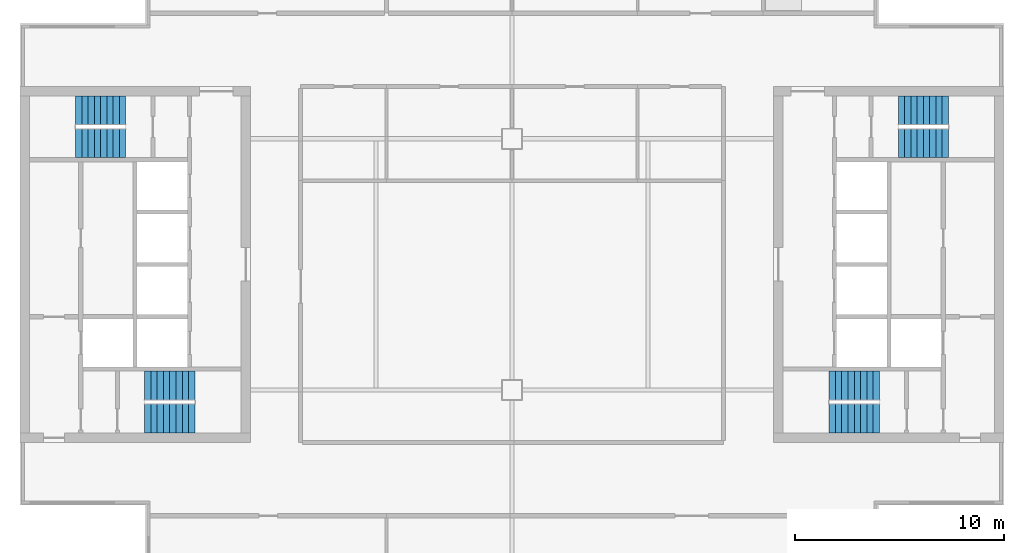
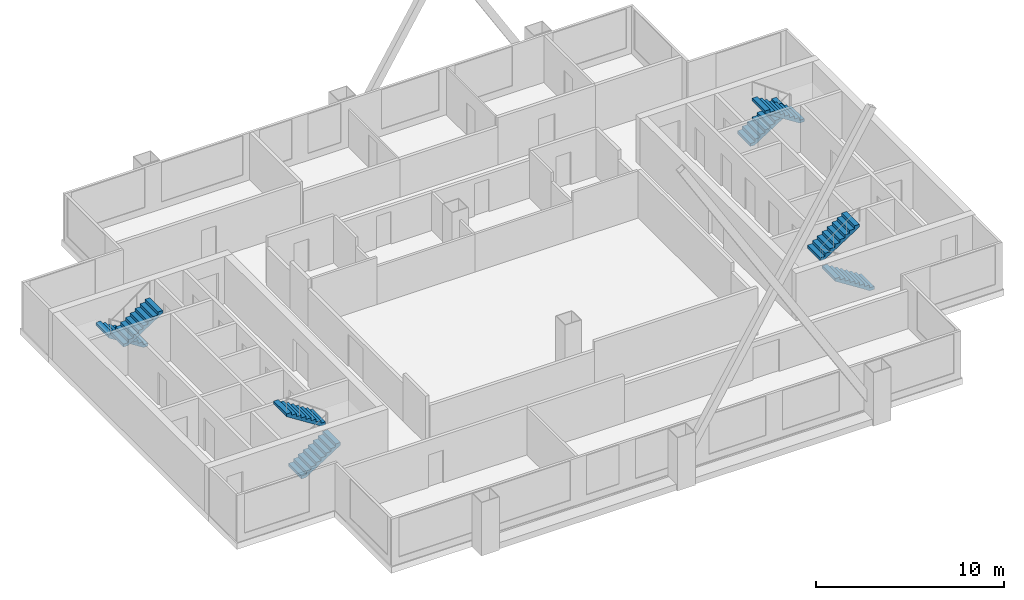
# One storey, part 5 of 7: 8 stair flights, 4 elements without a shape of their own.
"""IFC4 building model written with IfcOpenShell, lengths in metres."""

from ifc_helpers import new_model, si_unit, direction, frame, origin, place, context, subcontext, project, spatial, polyline, outline, extrude, material, type_object, element, aggregate, save


model = new_model("IFC4")

# Units and contexts
model_context = context("Model", 3, precision=1e-05, world=origin(), true_north=direction((0.0, 1.0)))
body_context = subcontext(model_context, "Body", "Model", "MODEL_VIEW")
ifc_project = project(units=[si_unit("LENGTHUNIT", "METRE"), si_unit("AREAUNIT", "SQUARE_METRE"), si_unit("VOLUMEUNIT", "CUBIC_METRE"), si_unit("PLANEANGLEUNIT", "RADIAN"), si_unit("MASSUNIT", "GRAM", prefix="KILO")], contexts=[model_context])

# Site, building, storey
site_placement = place(None, origin())
site = spatial("IfcSite", under=ifc_project, at=site_placement, CompositionType="ELEMENT")
building_placement = place(site_placement, origin())
building = spatial("IfcBuilding", under=site, at=building_placement, Name="Kitamizu Gate Tower and Museum", CompositionType="ELEMENT")
storey_placement = place(building_placement, frame((0.0, 0.0, 238.64990234375)))
storey = spatial("IfcBuildingStorey", under=building, at=storey_placement, Name="L64", CompositionType="ELEMENT", Elevation=238.64990234375)

# Stair, stair flights
ifc_material_1 = material(Name="Concrete Fc42", Category="concrete")
stair_type = type_object("IfcStairType", Name="Exit stair 1375 wide 192 rise 300 going", PredefinedType="HALF_TURN_STAIR", material=ifc_material_1)
stair_1_placement = place(storey_placement, origin())
stair_1 = element("IfcStair", 1, at=stair_1_placement, inside=storey, type_object=stair_type, Name="Exit stair ST1", PredefinedType="HALF_TURN_STAIR")
ifc_material_2 = material(Name="Concrete Fc42", Category="concrete")
stair_flight_type = type_object("IfcStairFlightType", Name="Stair flight 1375 wide 192 rise 300 going", PredefinedType="STRAIGHT", material=ifc_material_2)
stair_flight_1_placement = place(storey_placement, frame((18.449951171875, 22.637451171875, 0.0), z_axis=(0.0, 0.0, 1.0), x_axis=(1.0, 0.0, 0.0)))
stair_flight_1 = element("IfcStairFlight", 2, at=stair_flight_1_placement, type_object=stair_flight_type, Name="ST1 flight 1", NumberOfRisers=9, NumberOfTreads=8, PredefinedType="STRAIGHT", RiserHeight=0.191666667, TreadLength=0.3, context=body_context, shape_type="SweptSolid", body=[
    extrude(outline(polyline([(0.0, 0.0), (0.0, 0.191650390625), (0.300048828125, 0.191650390625), (0.300048828125, 0.38330078125), (0.60009765625, 0.38330078125), (0.60009765625, 0.574951171875), (0.89990234375, 0.574951171875), (0.89990234375, 0.7666015625), (1.199951171875, 0.7666015625), (1.199951171875, 0.958251953125), (1.5, 0.958251953125), (1.5, 1.14990234375), (1.800048828125, 1.14990234375), (1.800048828125, 1.341552734375), (2.10009765625, 1.341552734375), (2.10009765625, 1.533447265625), (2.39990234375, 1.533447265625), (2.39990234375, 1.72509765625), (2.39990234375, 1.35546875), (0.2783203125, 0.0), (0.0, 0.0)])), frame((0.0, 0.6875, 0.0), z_axis=(0.0, -1.0, 0.0), x_axis=(1.0, 0.0, 0.0)), (0.0, 0.0, 1.0), 1.375),
])
stair_flight_2_placement = place(storey_placement, frame((20.85009765625, 24.21240234375, 1.72509765625), z_axis=(0.0, 0.0, 1.0), x_axis=(-1.0, 0.0, 0.0)))
stair_flight_2 = element("IfcStairFlight", 3, at=stair_flight_2_placement, type_object=stair_flight_type, Name="ST1 flight 2", NumberOfRisers=9, NumberOfTreads=8, PredefinedType="STRAIGHT", RiserHeight=0.191666667, TreadLength=0.3, context=body_context, shape_type="SweptSolid", body=[
    extrude(outline(polyline([(0.0, 0.0), (0.0, 0.191650390625), (0.300048828125, 0.191650390625), (0.300048828125, 0.38330078125), (0.60009765625, 0.38330078125), (0.60009765625, 0.574951171875), (0.89990234375, 0.574951171875), (0.89990234375, 0.7666015625), (1.199951171875, 0.7666015625), (1.199951171875, 0.958251953125), (1.5, 0.958251953125), (1.5, 1.14990234375), (1.800048828125, 1.14990234375), (1.800048828125, 1.341552734375), (2.10009765625, 1.341552734375), (2.10009765625, 1.533447265625), (2.39990234375, 1.533447265625), (2.39990234375, 1.72509765625), (2.39990234375, 1.35546875), (0.2783203125, 0.0), (0.0, 0.0)])), frame((0.0, 0.6875, 0.0), z_axis=(0.0, -1.0, 0.0), x_axis=(1.0, 0.0, 0.0)), (0.0, 0.0, 1.0), 1.375),
])
aggregate(stair_1, [stair_flight_1, stair_flight_2])

stair_2_placement = place(storey_placement, origin())
stair_2 = element("IfcStair", 4, at=stair_2_placement, inside=storey, type_object=stair_type, Name="Exit stair ST2", PredefinedType="HALF_TURN_STAIR")
stair_flight_3_placement = place(storey_placement, frame((17.550048828125, 37.362548828125, 0.0), z_axis=(0.0, 0.0, 1.0), x_axis=(-1.0, 0.0, 0.0)))
stair_flight_3 = element("IfcStairFlight", 5, at=stair_flight_3_placement, type_object=stair_flight_type, Name="ST2 flight 1", NumberOfRisers=9, NumberOfTreads=8, PredefinedType="STRAIGHT", RiserHeight=0.191666667, TreadLength=0.3, context=body_context, shape_type="SweptSolid", body=[
    extrude(outline(polyline([(0.0, 0.0), (0.0, 0.191650390625), (0.300048828125, 0.191650390625), (0.300048828125, 0.38330078125), (0.60009765625, 0.38330078125), (0.60009765625, 0.574951171875), (0.89990234375, 0.574951171875), (0.89990234375, 0.7666015625), (1.199951171875, 0.7666015625), (1.199951171875, 0.958251953125), (1.5, 0.958251953125), (1.5, 1.14990234375), (1.800048828125, 1.14990234375), (1.800048828125, 1.341552734375), (2.10009765625, 1.341552734375), (2.10009765625, 1.533447265625), (2.39990234375, 1.533447265625), (2.39990234375, 1.72509765625), (2.39990234375, 1.35546875), (0.2783203125, 0.0), (0.0, 0.0)])), frame((0.0, 0.6875, 0.0), z_axis=(0.0, -1.0, 0.0), x_axis=(1.0, 0.0, 0.0)), (0.0, 0.0, 1.0), 1.375),
])
stair_flight_4_placement = place(storey_placement, frame((15.14990234375, 35.78759765625, 1.72509765625), z_axis=(0.0, 0.0, 1.0), x_axis=(1.0, 0.0, 0.0)))
stair_flight_4 = element("IfcStairFlight", 6, at=stair_flight_4_placement, type_object=stair_flight_type, Name="ST2 flight 2", NumberOfRisers=9, NumberOfTreads=8, PredefinedType="STRAIGHT", RiserHeight=0.191666667, TreadLength=0.3, context=body_context, shape_type="SweptSolid", body=[
    extrude(outline(polyline([(0.0, 0.0), (0.0, 0.191650390625), (0.300048828125, 0.191650390625), (0.300048828125, 0.38330078125), (0.60009765625, 0.38330078125), (0.60009765625, 0.574951171875), (0.89990234375, 0.574951171875), (0.89990234375, 0.7666015625), (1.199951171875, 0.7666015625), (1.199951171875, 0.958251953125), (1.5, 0.958251953125), (1.5, 1.14990234375), (1.800048828125, 1.14990234375), (1.800048828125, 1.341552734375), (2.10009765625, 1.341552734375), (2.10009765625, 1.533447265625), (2.39990234375, 1.533447265625), (2.39990234375, 1.72509765625), (2.39990234375, 1.35546875), (0.2783203125, 0.0), (0.0, 0.0)])), frame((0.0, 0.6875, 0.0), z_axis=(0.0, -1.0, 0.0), x_axis=(1.0, 0.0, 0.0)), (0.0, 0.0, 1.0), 1.375),
])
aggregate(stair_2, [stair_flight_3, stair_flight_4])

stair_3_placement = place(storey_placement, origin())
stair_3 = element("IfcStair", 7, at=stair_3_placement, inside=storey, type_object=stair_type, Name="Exit stair ST3", PredefinedType="HALF_TURN_STAIR")
stair_flight_5_placement = place(storey_placement, frame((53.550048828125, 22.637451171875, 0.0), z_axis=(0.0, 0.0, 1.0), x_axis=(-1.0, 0.0, 0.0)))
stair_flight_5 = element("IfcStairFlight", 8, at=stair_flight_5_placement, type_object=stair_flight_type, Name="ST3 flight 1", NumberOfRisers=9, NumberOfTreads=8, PredefinedType="STRAIGHT", RiserHeight=0.191666667, TreadLength=0.3, context=body_context, shape_type="SweptSolid", body=[
    extrude(outline(polyline([(0.0, 0.0), (0.0, 0.191650390625), (0.300048828125, 0.191650390625), (0.300048828125, 0.38330078125), (0.60009765625, 0.38330078125), (0.60009765625, 0.574951171875), (0.89990234375, 0.574951171875), (0.89990234375, 0.7666015625), (1.199951171875, 0.7666015625), (1.199951171875, 0.958251953125), (1.5, 0.958251953125), (1.5, 1.14990234375), (1.800048828125, 1.14990234375), (1.800048828125, 1.341552734375), (2.10009765625, 1.341552734375), (2.10009765625, 1.533447265625), (2.39990234375, 1.533447265625), (2.39990234375, 1.72509765625), (2.39990234375, 1.35546875), (0.2783203125, 0.0), (0.0, 0.0)])), frame((0.0, 0.6875, 0.0), z_axis=(0.0, -1.0, 0.0), x_axis=(1.0, 0.0, 0.0)), (0.0, 0.0, 1.0), 1.375),
])
stair_flight_6_placement = place(storey_placement, frame((51.14990234375, 24.21240234375, 1.72509765625), z_axis=(0.0, 0.0, 1.0), x_axis=(1.0, 0.0, 0.0)))
stair_flight_6 = element("IfcStairFlight", 9, at=stair_flight_6_placement, type_object=stair_flight_type, Name="ST3 flight 2", NumberOfRisers=9, NumberOfTreads=8, PredefinedType="STRAIGHT", RiserHeight=0.191666667, TreadLength=0.3, context=body_context, shape_type="SweptSolid", body=[
    extrude(outline(polyline([(0.0, 0.0), (0.0, 0.191650390625), (0.300048828125, 0.191650390625), (0.300048828125, 0.38330078125), (0.60009765625, 0.38330078125), (0.60009765625, 0.574951171875), (0.89990234375, 0.574951171875), (0.89990234375, 0.7666015625), (1.199951171875, 0.7666015625), (1.199951171875, 0.958251953125), (1.5, 0.958251953125), (1.5, 1.14990234375), (1.800048828125, 1.14990234375), (1.800048828125, 1.341552734375), (2.10009765625, 1.341552734375), (2.10009765625, 1.533447265625), (2.39990234375, 1.533447265625), (2.39990234375, 1.72509765625), (2.39990234375, 1.35546875), (0.2783203125, 0.0), (0.0, 0.0)])), frame((0.0, 0.6875, 0.0), z_axis=(0.0, -1.0, 0.0), x_axis=(1.0, 0.0, 0.0)), (0.0, 0.0, 1.0), 1.375),
])
aggregate(stair_3, [stair_flight_5, stair_flight_6])

stair_4_placement = place(storey_placement, origin())
stair_4 = element("IfcStair", 10, at=stair_4_placement, inside=storey, type_object=stair_type, Name="Exit stair ST4", PredefinedType="HALF_TURN_STAIR")
stair_flight_7_placement = place(storey_placement, frame((54.449951171875, 37.362548828125, 0.0), z_axis=(0.0, 0.0, 1.0), x_axis=(1.0, 0.0, 0.0)))
stair_flight_7 = element("IfcStairFlight", 11, at=stair_flight_7_placement, type_object=stair_flight_type, Name="ST4 flight 1", NumberOfRisers=9, NumberOfTreads=8, PredefinedType="STRAIGHT", RiserHeight=0.191666667, TreadLength=0.3, context=body_context, shape_type="SweptSolid", body=[
    extrude(outline(polyline([(0.0, 0.0), (0.0, 0.191650390625), (0.300048828125, 0.191650390625), (0.300048828125, 0.38330078125), (0.60009765625, 0.38330078125), (0.60009765625, 0.574951171875), (0.89990234375, 0.574951171875), (0.89990234375, 0.7666015625), (1.199951171875, 0.7666015625), (1.199951171875, 0.958251953125), (1.5, 0.958251953125), (1.5, 1.14990234375), (1.800048828125, 1.14990234375), (1.800048828125, 1.341552734375), (2.10009765625, 1.341552734375), (2.10009765625, 1.533447265625), (2.39990234375, 1.533447265625), (2.39990234375, 1.72509765625), (2.39990234375, 1.35546875), (0.2783203125, 0.0), (0.0, 0.0)])), frame((0.0, 0.6875, 0.0), z_axis=(0.0, -1.0, 0.0), x_axis=(1.0, 0.0, 0.0)), (0.0, 0.0, 1.0), 1.375),
])
stair_flight_8_placement = place(storey_placement, frame((56.85009765625, 35.78759765625, 1.72509765625), z_axis=(0.0, 0.0, 1.0), x_axis=(-1.0, 0.0, 0.0)))
stair_flight_8 = element("IfcStairFlight", 12, at=stair_flight_8_placement, type_object=stair_flight_type, Name="ST4 flight 2", NumberOfRisers=9, NumberOfTreads=8, PredefinedType="STRAIGHT", RiserHeight=0.191666667, TreadLength=0.3, context=body_context, shape_type="SweptSolid", body=[
    extrude(outline(polyline([(0.0, 0.0), (0.0, 0.191650390625), (0.300048828125, 0.191650390625), (0.300048828125, 0.38330078125), (0.60009765625, 0.38330078125), (0.60009765625, 0.574951171875), (0.89990234375, 0.574951171875), (0.89990234375, 0.7666015625), (1.199951171875, 0.7666015625), (1.199951171875, 0.958251953125), (1.5, 0.958251953125), (1.5, 1.14990234375), (1.800048828125, 1.14990234375), (1.800048828125, 1.341552734375), (2.10009765625, 1.341552734375), (2.10009765625, 1.533447265625), (2.39990234375, 1.533447265625), (2.39990234375, 1.72509765625), (2.39990234375, 1.35546875), (0.2783203125, 0.0), (0.0, 0.0)])), frame((0.0, 0.6875, 0.0), z_axis=(0.0, -1.0, 0.0), x_axis=(1.0, 0.0, 0.0)), (0.0, 0.0, 1.0), 1.375),
])
aggregate(stair_4, [stair_flight_7, stair_flight_8])

save(model, "model.ifc")
